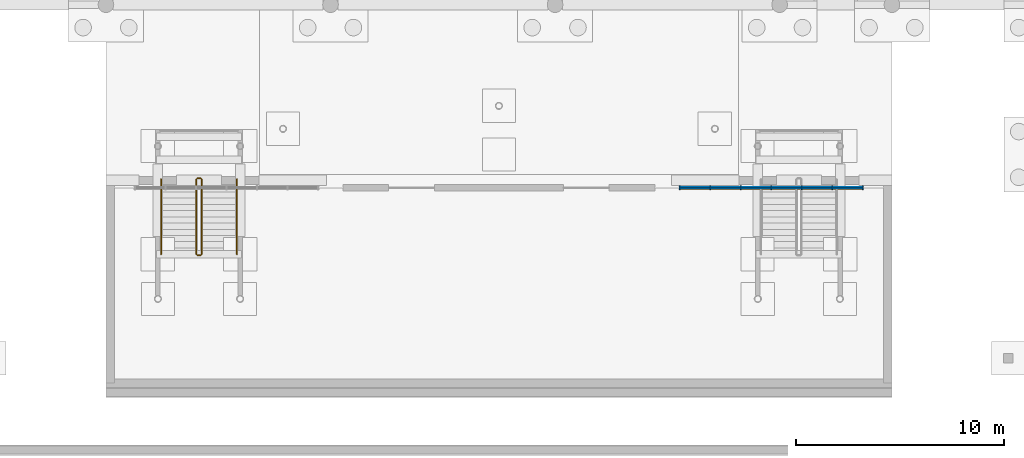
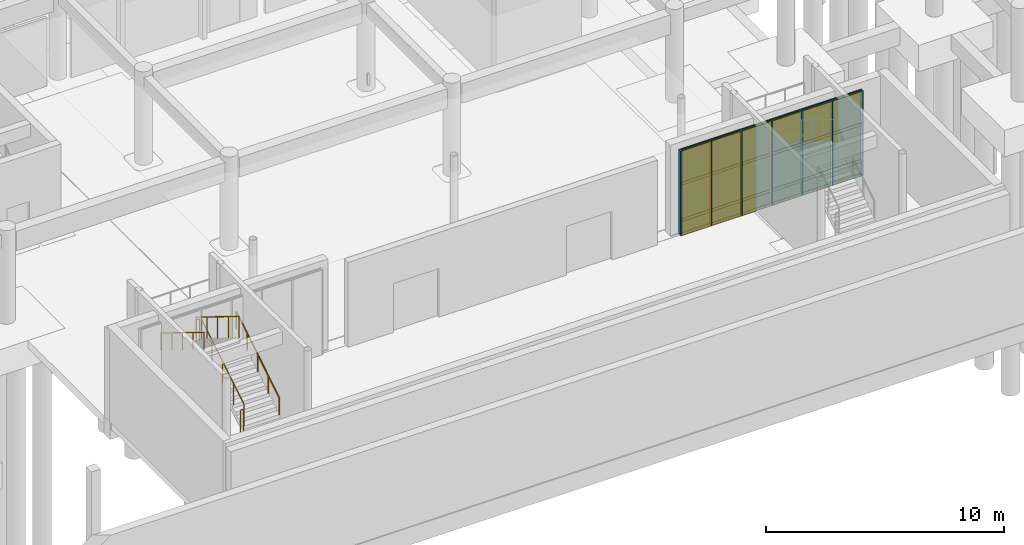
# One storey, part 35 of 46: 31 members, 18 plates, 6 railings, 1 curtain wall.
"""IFC4 building model written with IfcOpenShell, lengths in metres."""

from ifc_helpers import new_model, si_unit, direction, frame, frame_2d, origin, origin_2d, place, context, subcontext, project, spatial, rectangle, circle, extrude, material, layer, layer_set, material_profile, profile_set, type_object, element, aggregate, save


model = new_model("IFC4")

# Units and contexts
model_context = context("Model", 3, precision=1e-05, world=origin(), true_north=direction((0.0, 1.0)))
body_context = subcontext(model_context, "Body", "Model", "MODEL_VIEW")
ifc_project = project(units=[si_unit("LENGTHUNIT", "METRE"), si_unit("AREAUNIT", "SQUARE_METRE"), si_unit("VOLUMEUNIT", "CUBIC_METRE"), si_unit("PLANEANGLEUNIT", "RADIAN"), si_unit("MASSUNIT", "GRAM", prefix="KILO")], contexts=[model_context])

# Member
ifc_material_1 = material(Name="Anodised Bronze Aluminium 6063-T6", Category="aluminium")
ifc_material_profile_1 = material_profile(ifc_material_1, rectangle(XDim=0.06005859375, YDim=0.179931640625, at=origin_2d()), Name="ALU MULLION 60x180")
ifc_profile_set_1 = profile_set([ifc_material_profile_1], Name="Anodised Bronze Aluminium 6063-T6")
member_type_1 = type_object("IfcMemberType", Name="Curtain-Wall Primary Mullion 60x180", PredefinedType="MULLION", material=ifc_profile_set_1)
site_placement = place(None, origin())
building_placement = place(site_placement, origin())
storey_placement = place(building_placement, frame((0.0, 0.0, -4.800048828125)))
member_1_placement = place(storey_placement, frame((85.199951171875, 14.199951171875, 0.0), z_axis=(0.0, 0.0, 1.0), x_axis=(1.0, 0.0, 0.0)))
member_1 = element("IfcMember", 1, at=member_1_placement, type_object=member_type_1, Name="Mullion CWM-01 CW-B1-METRO-E-M01", PredefinedType="MULLION", context=body_context, shape_type="SweptSolid", body=[
    extrude(rectangle(XDim=0.06005859375, YDim=0.179931640625, at=origin_2d()), origin(), (0.0, 0.0, 1.0), 4.35009765625),
])

member_2_placement = place(storey_placement, frame((86.666748046875, 14.199951171875, 0.0), z_axis=(0.0, 0.0, 1.0), x_axis=(1.0, 0.0, 0.0)))
member_2 = element("IfcMember", 2, at=member_2_placement, type_object=member_type_1, Name="Mullion CWM-01 CW-B1-METRO-E-M02", PredefinedType="MULLION", context=body_context, shape_type="SweptSolid", body=[
    extrude(rectangle(XDim=0.06005859375, YDim=0.179931640625, at=origin_2d()), origin(), (0.0, 0.0, 1.0), 4.35009765625),
])

member_3_placement = place(storey_placement, frame((88.13330078125, 14.199951171875, 0.0), z_axis=(0.0, 0.0, 1.0), x_axis=(1.0, 0.0, 0.0)))
member_3 = element("IfcMember", 3, at=member_3_placement, type_object=member_type_1, Name="Mullion CWM-01 CW-B1-METRO-E-M03", PredefinedType="MULLION", context=body_context, shape_type="SweptSolid", body=[
    extrude(rectangle(XDim=0.06005859375, YDim=0.179931640625, at=origin_2d()), origin(), (0.0, 0.0, 1.0), 4.35009765625),
])

member_4_placement = place(storey_placement, frame((89.60009765625, 14.199951171875, 0.0), z_axis=(0.0, 0.0, 1.0), x_axis=(1.0, 0.0, 0.0)))
member_4 = element("IfcMember", 4, at=member_4_placement, type_object=member_type_1, Name="Mullion CWM-01 CW-B1-METRO-E-M04", PredefinedType="MULLION", context=body_context, shape_type="SweptSolid", body=[
    extrude(rectangle(XDim=0.06005859375, YDim=0.179931640625, at=origin_2d()), origin(), (0.0, 0.0, 1.0), 4.35009765625),
])

member_5_placement = place(storey_placement, frame((91.066650390625, 14.199951171875, 0.0), z_axis=(0.0, 0.0, 1.0), x_axis=(1.0, 0.0, 0.0)))
member_5 = element("IfcMember", 5, at=member_5_placement, type_object=member_type_1, Name="Mullion CWM-01 CW-B1-METRO-E-M05", PredefinedType="MULLION", context=body_context, shape_type="SweptSolid", body=[
    extrude(rectangle(XDim=0.06005859375, YDim=0.179931640625, at=origin_2d()), origin(), (0.0, 0.0, 1.0), 4.35009765625),
])

member_6_placement = place(storey_placement, frame((92.533203125, 14.199951171875, 0.0), z_axis=(0.0, 0.0, 1.0), x_axis=(1.0, 0.0, 0.0)))
member_6 = element("IfcMember", 6, at=member_6_placement, type_object=member_type_1, Name="Mullion CWM-01 CW-B1-METRO-E-M06", PredefinedType="MULLION", context=body_context, shape_type="SweptSolid", body=[
    extrude(rectangle(XDim=0.06005859375, YDim=0.179931640625, at=origin_2d()), origin(), (0.0, 0.0, 1.0), 4.35009765625),
])

member_7_placement = place(storey_placement, frame((94.0, 14.199951171875, 0.0), z_axis=(0.0, 0.0, 1.0), x_axis=(1.0, 0.0, 0.0)))
member_7 = element("IfcMember", 7, at=member_7_placement, type_object=member_type_1, Name="Mullion CWM-01 CW-B1-METRO-E-M07", PredefinedType="MULLION", context=body_context, shape_type="SweptSolid", body=[
    extrude(rectangle(XDim=0.06005859375, YDim=0.179931640625, at=origin_2d()), origin(), (0.0, 0.0, 1.0), 4.35009765625),
])

ifc_material_profile_2 = material_profile(ifc_material_1, rectangle(XDim=0.06005859375, YDim=0.139892578125, at=origin_2d()), Name="ALU TRANSOM 60x140")
ifc_profile_set_2 = profile_set([ifc_material_profile_2], Name="Anodised Bronze Aluminium 6063-T6")
member_type_2 = type_object("IfcMemberType", Name="Curtain-Wall Transom 60x140", PredefinedType="USERDEFINED", material=ifc_profile_set_2)
member_8_placement = place(storey_placement, frame((85.235107421875, 14.199951171875, 0.0400390625), z_axis=(1.0, 0.0, 0.0), x_axis=(0.0, 1.0, 0.0)))
member_8 = element("IfcMember", 8, at=member_8_placement, type_object=member_type_2, Name="Transom CWT-01 CW-B1-METRO-E-T01.1", ObjectType="TRANSOM", PredefinedType="USERDEFINED", context=body_context, shape_type="SweptSolid", body=[
    extrude(rectangle(XDim=0.06005859375, YDim=0.139892578125, at=origin_2d()), origin(), (0.0, 0.0, 1.0), 1.396484375),
])

member_9_placement = place(storey_placement, frame((85.235107421875, 14.199951171875, 0.75), z_axis=(1.0, 0.0, 0.0), x_axis=(0.0, 1.0, 0.0)))
member_9 = element("IfcMember", 9, at=member_9_placement, type_object=member_type_2, Name="Transom CWT-01 CW-B1-METRO-E-T01.2", ObjectType="TRANSOM", PredefinedType="USERDEFINED", context=body_context, shape_type="SweptSolid", body=[
    extrude(rectangle(XDim=0.06005859375, YDim=0.139892578125, at=origin_2d()), origin(), (0.0, 0.0, 1.0), 1.396484375),
])

member_10_placement = place(storey_placement, frame((85.235107421875, 14.199951171875, 2.6220703125), z_axis=(1.0, 0.0, 0.0), x_axis=(0.0, 1.0, 0.0)))
member_10 = element("IfcMember", 10, at=member_10_placement, type_object=member_type_2, Name="Transom CWT-01 CW-B1-METRO-E-T01.3", ObjectType="TRANSOM", PredefinedType="USERDEFINED", context=body_context, shape_type="SweptSolid", body=[
    extrude(rectangle(XDim=0.06005859375, YDim=0.139892578125, at=origin_2d()), origin(), (0.0, 0.0, 1.0), 1.396484375),
])

member_11_placement = place(storey_placement, frame((85.235107421875, 14.199951171875, 4.31005859375), z_axis=(1.0, 0.0, 0.0), x_axis=(0.0, 1.0, 0.0)))
member_11 = element("IfcMember", 11, at=member_11_placement, type_object=member_type_2, Name="Transom CWT-01 CW-B1-METRO-E-T01.4", ObjectType="TRANSOM", PredefinedType="USERDEFINED", context=body_context, shape_type="SweptSolid", body=[
    extrude(rectangle(XDim=0.06005859375, YDim=0.139892578125, at=origin_2d()), origin(), (0.0, 0.0, 1.0), 1.396484375),
])

member_12_placement = place(storey_placement, frame((86.70166015625, 14.199951171875, 0.0400390625), z_axis=(1.0, 0.0, 0.0), x_axis=(0.0, 1.0, 0.0)))
member_12 = element("IfcMember", 12, at=member_12_placement, type_object=member_type_2, Name="Transom CWT-01 CW-B1-METRO-E-T02.1", ObjectType="TRANSOM", PredefinedType="USERDEFINED", context=body_context, shape_type="SweptSolid", body=[
    extrude(rectangle(XDim=0.06005859375, YDim=0.139892578125, at=origin_2d()), origin(), (0.0, 0.0, 1.0), 1.396728515625),
])

member_13_placement = place(storey_placement, frame((86.70166015625, 14.199951171875, 0.75), z_axis=(1.0, 0.0, 0.0), x_axis=(0.0, 1.0, 0.0)))
member_13 = element("IfcMember", 13, at=member_13_placement, type_object=member_type_2, Name="Transom CWT-01 CW-B1-METRO-E-T02.2", ObjectType="TRANSOM", PredefinedType="USERDEFINED", context=body_context, shape_type="SweptSolid", body=[
    extrude(rectangle(XDim=0.06005859375, YDim=0.139892578125, at=origin_2d()), origin(), (0.0, 0.0, 1.0), 1.396728515625),
])

member_14_placement = place(storey_placement, frame((86.70166015625, 14.199951171875, 2.6220703125), z_axis=(1.0, 0.0, 0.0), x_axis=(0.0, 1.0, 0.0)))
member_14 = element("IfcMember", 14, at=member_14_placement, type_object=member_type_2, Name="Transom CWT-01 CW-B1-METRO-E-T02.3", ObjectType="TRANSOM", PredefinedType="USERDEFINED", context=body_context, shape_type="SweptSolid", body=[
    extrude(rectangle(XDim=0.06005859375, YDim=0.139892578125, at=origin_2d()), origin(), (0.0, 0.0, 1.0), 1.396728515625),
])

member_15_placement = place(storey_placement, frame((86.70166015625, 14.199951171875, 4.31005859375), z_axis=(1.0, 0.0, 0.0), x_axis=(0.0, 1.0, 0.0)))
member_15 = element("IfcMember", 15, at=member_15_placement, type_object=member_type_2, Name="Transom CWT-01 CW-B1-METRO-E-T02.4", ObjectType="TRANSOM", PredefinedType="USERDEFINED", context=body_context, shape_type="SweptSolid", body=[
    extrude(rectangle(XDim=0.06005859375, YDim=0.139892578125, at=origin_2d()), origin(), (0.0, 0.0, 1.0), 1.396728515625),
])

member_16_placement = place(storey_placement, frame((88.168212890625, 14.199951171875, 0.0400390625), z_axis=(1.0, 0.0, 0.0), x_axis=(0.0, 1.0, 0.0)))
member_16 = element("IfcMember", 16, at=member_16_placement, type_object=member_type_2, Name="Transom CWT-01 CW-B1-METRO-E-T03.1", ObjectType="TRANSOM", PredefinedType="USERDEFINED", context=body_context, shape_type="SweptSolid", body=[
    extrude(rectangle(XDim=0.06005859375, YDim=0.139892578125, at=origin_2d()), origin(), (0.0, 0.0, 1.0), 1.396728515625),
])

member_17_placement = place(storey_placement, frame((88.168212890625, 14.199951171875, 0.75), z_axis=(1.0, 0.0, 0.0), x_axis=(0.0, 1.0, 0.0)))
member_17 = element("IfcMember", 17, at=member_17_placement, type_object=member_type_2, Name="Transom CWT-01 CW-B1-METRO-E-T03.2", ObjectType="TRANSOM", PredefinedType="USERDEFINED", context=body_context, shape_type="SweptSolid", body=[
    extrude(rectangle(XDim=0.06005859375, YDim=0.139892578125, at=origin_2d()), origin(), (0.0, 0.0, 1.0), 1.396728515625),
])

member_18_placement = place(storey_placement, frame((88.168212890625, 14.199951171875, 2.6220703125), z_axis=(1.0, 0.0, 0.0), x_axis=(0.0, 1.0, 0.0)))
member_18 = element("IfcMember", 18, at=member_18_placement, type_object=member_type_2, Name="Transom CWT-01 CW-B1-METRO-E-T03.3", ObjectType="TRANSOM", PredefinedType="USERDEFINED", context=body_context, shape_type="SweptSolid", body=[
    extrude(rectangle(XDim=0.06005859375, YDim=0.139892578125, at=origin_2d()), origin(), (0.0, 0.0, 1.0), 1.396728515625),
])

member_19_placement = place(storey_placement, frame((88.168212890625, 14.199951171875, 4.31005859375), z_axis=(1.0, 0.0, 0.0), x_axis=(0.0, 1.0, 0.0)))
member_19 = element("IfcMember", 19, at=member_19_placement, type_object=member_type_2, Name="Transom CWT-01 CW-B1-METRO-E-T03.4", ObjectType="TRANSOM", PredefinedType="USERDEFINED", context=body_context, shape_type="SweptSolid", body=[
    extrude(rectangle(XDim=0.06005859375, YDim=0.139892578125, at=origin_2d()), origin(), (0.0, 0.0, 1.0), 1.396728515625),
])

member_20_placement = place(storey_placement, frame((89.635009765625, 14.199951171875, 0.0400390625), z_axis=(1.0, 0.0, 0.0), x_axis=(0.0, 1.0, 0.0)))
member_20 = element("IfcMember", 20, at=member_20_placement, type_object=member_type_2, Name="Transom CWT-01 CW-B1-METRO-E-T04.1", ObjectType="TRANSOM", PredefinedType="USERDEFINED", context=body_context, shape_type="SweptSolid", body=[
    extrude(rectangle(XDim=0.06005859375, YDim=0.139892578125, at=origin_2d()), origin(), (0.0, 0.0, 1.0), 1.396728515625),
])

member_21_placement = place(storey_placement, frame((89.635009765625, 14.199951171875, 0.75), z_axis=(1.0, 0.0, 0.0), x_axis=(0.0, 1.0, 0.0)))
member_21 = element("IfcMember", 21, at=member_21_placement, type_object=member_type_2, Name="Transom CWT-01 CW-B1-METRO-E-T04.2", ObjectType="TRANSOM", PredefinedType="USERDEFINED", context=body_context, shape_type="SweptSolid", body=[
    extrude(rectangle(XDim=0.06005859375, YDim=0.139892578125, at=origin_2d()), origin(), (0.0, 0.0, 1.0), 1.396728515625),
])

member_22_placement = place(storey_placement, frame((89.635009765625, 14.199951171875, 2.6220703125), z_axis=(1.0, 0.0, 0.0), x_axis=(0.0, 1.0, 0.0)))
member_22 = element("IfcMember", 22, at=member_22_placement, type_object=member_type_2, Name="Transom CWT-01 CW-B1-METRO-E-T04.3", ObjectType="TRANSOM", PredefinedType="USERDEFINED", context=body_context, shape_type="SweptSolid", body=[
    extrude(rectangle(XDim=0.06005859375, YDim=0.139892578125, at=origin_2d()), origin(), (0.0, 0.0, 1.0), 1.396728515625),
])

member_23_placement = place(storey_placement, frame((89.635009765625, 14.199951171875, 4.31005859375), z_axis=(1.0, 0.0, 0.0), x_axis=(0.0, 1.0, 0.0)))
member_23 = element("IfcMember", 23, at=member_23_placement, type_object=member_type_2, Name="Transom CWT-01 CW-B1-METRO-E-T04.4", ObjectType="TRANSOM", PredefinedType="USERDEFINED", context=body_context, shape_type="SweptSolid", body=[
    extrude(rectangle(XDim=0.06005859375, YDim=0.139892578125, at=origin_2d()), origin(), (0.0, 0.0, 1.0), 1.396728515625),
])

member_24_placement = place(storey_placement, frame((91.101806640625, 14.199951171875, 0.0400390625), z_axis=(1.0, 0.0, 0.0), x_axis=(0.0, 1.0, 0.0)))
member_24 = element("IfcMember", 24, at=member_24_placement, type_object=member_type_2, Name="Transom CWT-01 CW-B1-METRO-E-T05.1", ObjectType="TRANSOM", PredefinedType="USERDEFINED", context=body_context, shape_type="SweptSolid", body=[
    extrude(rectangle(XDim=0.06005859375, YDim=0.139892578125, at=origin_2d()), origin(), (0.0, 0.0, 1.0), 1.396484375),
])

member_25_placement = place(storey_placement, frame((91.101806640625, 14.199951171875, 0.75), z_axis=(1.0, 0.0, 0.0), x_axis=(0.0, 1.0, 0.0)))
member_25 = element("IfcMember", 25, at=member_25_placement, type_object=member_type_2, Name="Transom CWT-01 CW-B1-METRO-E-T05.2", ObjectType="TRANSOM", PredefinedType="USERDEFINED", context=body_context, shape_type="SweptSolid", body=[
    extrude(rectangle(XDim=0.06005859375, YDim=0.139892578125, at=origin_2d()), origin(), (0.0, 0.0, 1.0), 1.396484375),
])

member_26_placement = place(storey_placement, frame((91.101806640625, 14.199951171875, 2.6220703125), z_axis=(1.0, 0.0, 0.0), x_axis=(0.0, 1.0, 0.0)))
member_26 = element("IfcMember", 26, at=member_26_placement, type_object=member_type_2, Name="Transom CWT-01 CW-B1-METRO-E-T05.3", ObjectType="TRANSOM", PredefinedType="USERDEFINED", context=body_context, shape_type="SweptSolid", body=[
    extrude(rectangle(XDim=0.06005859375, YDim=0.139892578125, at=origin_2d()), origin(), (0.0, 0.0, 1.0), 1.396484375),
])

member_27_placement = place(storey_placement, frame((91.101806640625, 14.199951171875, 4.31005859375), z_axis=(1.0, 0.0, 0.0), x_axis=(0.0, 1.0, 0.0)))
member_27 = element("IfcMember", 27, at=member_27_placement, type_object=member_type_2, Name="Transom CWT-01 CW-B1-METRO-E-T05.4", ObjectType="TRANSOM", PredefinedType="USERDEFINED", context=body_context, shape_type="SweptSolid", body=[
    extrude(rectangle(XDim=0.06005859375, YDim=0.139892578125, at=origin_2d()), origin(), (0.0, 0.0, 1.0), 1.396484375),
])

member_28_placement = place(storey_placement, frame((92.568359375, 14.199951171875, 0.0400390625), z_axis=(1.0, 0.0, 0.0), x_axis=(0.0, 1.0, 0.0)))
member_28 = element("IfcMember", 28, at=member_28_placement, type_object=member_type_2, Name="Transom CWT-01 CW-B1-METRO-E-T06.1", ObjectType="TRANSOM", PredefinedType="USERDEFINED", context=body_context, shape_type="SweptSolid", body=[
    extrude(rectangle(XDim=0.06005859375, YDim=0.139892578125, at=origin_2d()), origin(), (0.0, 0.0, 1.0), 1.396728515625),
])

member_29_placement = place(storey_placement, frame((92.568359375, 14.199951171875, 0.75), z_axis=(1.0, 0.0, 0.0), x_axis=(0.0, 1.0, 0.0)))
member_29 = element("IfcMember", 29, at=member_29_placement, type_object=member_type_2, Name="Transom CWT-01 CW-B1-METRO-E-T06.2", ObjectType="TRANSOM", PredefinedType="USERDEFINED", context=body_context, shape_type="SweptSolid", body=[
    extrude(rectangle(XDim=0.06005859375, YDim=0.139892578125, at=origin_2d()), origin(), (0.0, 0.0, 1.0), 1.396728515625),
])

member_30_placement = place(storey_placement, frame((92.568359375, 14.199951171875, 2.6220703125), z_axis=(1.0, 0.0, 0.0), x_axis=(0.0, 1.0, 0.0)))
member_30 = element("IfcMember", 30, at=member_30_placement, type_object=member_type_2, Name="Transom CWT-01 CW-B1-METRO-E-T06.3", ObjectType="TRANSOM", PredefinedType="USERDEFINED", context=body_context, shape_type="SweptSolid", body=[
    extrude(rectangle(XDim=0.06005859375, YDim=0.139892578125, at=origin_2d()), origin(), (0.0, 0.0, 1.0), 1.396728515625),
])

member_31_placement = place(storey_placement, frame((92.568359375, 14.199951171875, 4.31005859375), z_axis=(1.0, 0.0, 0.0), x_axis=(0.0, 1.0, 0.0)))
member_31 = element("IfcMember", 31, at=member_31_placement, type_object=member_type_2, Name="Transom CWT-01 CW-B1-METRO-E-T06.4", ObjectType="TRANSOM", PredefinedType="USERDEFINED", context=body_context, shape_type="SweptSolid", body=[
    extrude(rectangle(XDim=0.06005859375, YDim=0.139892578125, at=origin_2d()), origin(), (0.0, 0.0, 1.0), 1.396728515625),
])

# Plate
ifc_material_2 = material(Name="Insulated Bronze Aluminium Spandrel Panel", Category="aluminium")
ifc_layer_1 = layer(ifc_material_2, 0.050048828125, Name="Insulated Bronze Aluminium Spandrel Panel")
ifc_layer_set_1 = layer_set([ifc_layer_1], Name="Insulated Bronze Aluminium Spandrel Panel")
plate_type_1 = type_object("IfcPlateType", Name="Insulated Anodised Aluminium Spandrel Cassette 50", PredefinedType="CURTAIN_PANEL", material=ifc_layer_set_1)
plate_1_placement = place(storey_placement, frame((85.933349609375, 14.199951171875, 0.070068359375), z_axis=(0.0, 0.0, 1.0), x_axis=(1.0, 0.0, 0.0)))
plate_1 = element("IfcPlate", 32, at=plate_1_placement, type_object=plate_type_1, Name="Curtain Panel CWP-03 CW-B1-METRO-E-P01.1", PredefinedType="CURTAIN_PANEL", context=body_context, shape_type="SweptSolid", body=[
    extrude(rectangle(XDim=1.396728515625, YDim=0.050048828125, at=origin_2d()), origin(), (0.0, 0.0, 1.0), 0.64990234375),
])

plate_2_placement = place(storey_placement, frame((87.39990234375, 14.199951171875, 0.070068359375), z_axis=(0.0, 0.0, 1.0), x_axis=(1.0, 0.0, 0.0)))
plate_2 = element("IfcPlate", 33, at=plate_2_placement, type_object=plate_type_1, Name="Curtain Panel CWP-03 CW-B1-METRO-E-P02.1", PredefinedType="CURTAIN_PANEL", context=body_context, shape_type="SweptSolid", body=[
    extrude(rectangle(XDim=1.396728515625, YDim=0.050048828125, at=origin_2d()), origin(), (0.0, 0.0, 1.0), 0.64990234375),
])

plate_3_placement = place(storey_placement, frame((88.86669921875, 14.199951171875, 0.070068359375), z_axis=(0.0, 0.0, 1.0), x_axis=(1.0, 0.0, 0.0)))
plate_3 = element("IfcPlate", 34, at=plate_3_placement, type_object=plate_type_1, Name="Curtain Panel CWP-03 CW-B1-METRO-E-P03.1", PredefinedType="CURTAIN_PANEL", context=body_context, shape_type="SweptSolid", body=[
    extrude(rectangle(XDim=1.396728515625, YDim=0.050048828125, at=origin_2d()), origin(), (0.0, 0.0, 1.0), 0.64990234375),
])

plate_4_placement = place(storey_placement, frame((90.333251953125, 14.199951171875, 0.070068359375), z_axis=(0.0, 0.0, 1.0), x_axis=(1.0, 0.0, 0.0)))
plate_4 = element("IfcPlate", 35, at=plate_4_placement, type_object=plate_type_1, Name="Curtain Panel CWP-03 CW-B1-METRO-E-P04.1", PredefinedType="CURTAIN_PANEL", context=body_context, shape_type="SweptSolid", body=[
    extrude(rectangle(XDim=1.396728515625, YDim=0.050048828125, at=origin_2d()), origin(), (0.0, 0.0, 1.0), 0.64990234375),
])

plate_5_placement = place(storey_placement, frame((91.800048828125, 14.199951171875, 0.070068359375), z_axis=(0.0, 0.0, 1.0), x_axis=(1.0, 0.0, 0.0)))
plate_5 = element("IfcPlate", 36, at=plate_5_placement, type_object=plate_type_1, Name="Curtain Panel CWP-03 CW-B1-METRO-E-P05.1", PredefinedType="CURTAIN_PANEL", context=body_context, shape_type="SweptSolid", body=[
    extrude(rectangle(XDim=1.396728515625, YDim=0.050048828125, at=origin_2d()), origin(), (0.0, 0.0, 1.0), 0.64990234375),
])

plate_6_placement = place(storey_placement, frame((93.2666015625, 14.199951171875, 0.070068359375), z_axis=(0.0, 0.0, 1.0), x_axis=(1.0, 0.0, 0.0)))
plate_6 = element("IfcPlate", 37, at=plate_6_placement, type_object=plate_type_1, Name="Curtain Panel CWP-03 CW-B1-METRO-E-P06.1", PredefinedType="CURTAIN_PANEL", context=body_context, shape_type="SweptSolid", body=[
    extrude(rectangle(XDim=1.396728515625, YDim=0.050048828125, at=origin_2d()), origin(), (0.0, 0.0, 1.0), 0.64990234375),
])

ifc_material_3 = material(Name="Solar-Control Tempered Double Glazing", Category="glass")
ifc_layer_2 = layer(ifc_material_3, 0.0380859375, Name="Solar-Control Tempered Double Glazing")
ifc_layer_set_2 = layer_set([ifc_layer_2], Name="Solar-Control Tempered Double Glazing")
plate_type_2 = type_object("IfcPlateType", Name="Solar-Control Vision Glazing Unit 38", PredefinedType="CURTAIN_PANEL", material=ifc_layer_set_2)
plate_7_placement = place(storey_placement, frame((85.933349609375, 14.199951171875, 0.780029296875), z_axis=(0.0, 0.0, 1.0), x_axis=(1.0, 0.0, 0.0)))
plate_7 = element("IfcPlate", 38, at=plate_7_placement, type_object=plate_type_2, Name="Curtain Panel CWP-02 CW-B1-METRO-E-P01.2", PredefinedType="CURTAIN_PANEL", context=body_context, shape_type="SweptSolid", body=[
    extrude(rectangle(XDim=1.396728515625, YDim=0.0380859375, at=origin_2d()), origin(), (0.0, 0.0, 1.0), 1.81201171875),
])

plate_8_placement = place(storey_placement, frame((85.933349609375, 14.199951171875, 2.652099609375), z_axis=(0.0, 0.0, 1.0), x_axis=(1.0, 0.0, 0.0)))
plate_8 = element("IfcPlate", 39, at=plate_8_placement, type_object=plate_type_2, Name="Curtain Panel CWP-02 CW-B1-METRO-E-P01.3", PredefinedType="CURTAIN_PANEL", context=body_context, shape_type="SweptSolid", body=[
    extrude(rectangle(XDim=1.396728515625, YDim=0.0380859375, at=origin_2d()), origin(), (0.0, 0.0, 1.0), 1.6279296875),
])

plate_9_placement = place(storey_placement, frame((87.39990234375, 14.199951171875, 0.780029296875), z_axis=(0.0, 0.0, 1.0), x_axis=(1.0, 0.0, 0.0)))
plate_9 = element("IfcPlate", 40, at=plate_9_placement, type_object=plate_type_2, Name="Curtain Panel CWP-02 CW-B1-METRO-E-P02.2", PredefinedType="CURTAIN_PANEL", context=body_context, shape_type="SweptSolid", body=[
    extrude(rectangle(XDim=1.396728515625, YDim=0.0380859375, at=origin_2d()), origin(), (0.0, 0.0, 1.0), 1.81201171875),
])

plate_10_placement = place(storey_placement, frame((87.39990234375, 14.199951171875, 2.652099609375), z_axis=(0.0, 0.0, 1.0), x_axis=(1.0, 0.0, 0.0)))
plate_10 = element("IfcPlate", 41, at=plate_10_placement, type_object=plate_type_2, Name="Curtain Panel CWP-02 CW-B1-METRO-E-P02.3", PredefinedType="CURTAIN_PANEL", context=body_context, shape_type="SweptSolid", body=[
    extrude(rectangle(XDim=1.396728515625, YDim=0.0380859375, at=origin_2d()), origin(), (0.0, 0.0, 1.0), 1.6279296875),
])

plate_11_placement = place(storey_placement, frame((88.86669921875, 14.199951171875, 0.780029296875), z_axis=(0.0, 0.0, 1.0), x_axis=(1.0, 0.0, 0.0)))
plate_11 = element("IfcPlate", 42, at=plate_11_placement, type_object=plate_type_2, Name="Curtain Panel CWP-02 CW-B1-METRO-E-P03.2", PredefinedType="CURTAIN_PANEL", context=body_context, shape_type="SweptSolid", body=[
    extrude(rectangle(XDim=1.396728515625, YDim=0.0380859375, at=origin_2d()), origin(), (0.0, 0.0, 1.0), 1.81201171875),
])

plate_12_placement = place(storey_placement, frame((88.86669921875, 14.199951171875, 2.652099609375), z_axis=(0.0, 0.0, 1.0), x_axis=(1.0, 0.0, 0.0)))
plate_12 = element("IfcPlate", 43, at=plate_12_placement, type_object=plate_type_2, Name="Curtain Panel CWP-02 CW-B1-METRO-E-P03.3", PredefinedType="CURTAIN_PANEL", context=body_context, shape_type="SweptSolid", body=[
    extrude(rectangle(XDim=1.396728515625, YDim=0.0380859375, at=origin_2d()), origin(), (0.0, 0.0, 1.0), 1.6279296875),
])

plate_13_placement = place(storey_placement, frame((90.333251953125, 14.199951171875, 0.780029296875), z_axis=(0.0, 0.0, 1.0), x_axis=(1.0, 0.0, 0.0)))
plate_13 = element("IfcPlate", 44, at=plate_13_placement, type_object=plate_type_2, Name="Curtain Panel CWP-02 CW-B1-METRO-E-P04.2", PredefinedType="CURTAIN_PANEL", context=body_context, shape_type="SweptSolid", body=[
    extrude(rectangle(XDim=1.396728515625, YDim=0.0380859375, at=origin_2d()), origin(), (0.0, 0.0, 1.0), 1.81201171875),
])

plate_14_placement = place(storey_placement, frame((90.333251953125, 14.199951171875, 2.652099609375), z_axis=(0.0, 0.0, 1.0), x_axis=(1.0, 0.0, 0.0)))
plate_14 = element("IfcPlate", 45, at=plate_14_placement, type_object=plate_type_2, Name="Curtain Panel CWP-02 CW-B1-METRO-E-P04.3", PredefinedType="CURTAIN_PANEL", context=body_context, shape_type="SweptSolid", body=[
    extrude(rectangle(XDim=1.396728515625, YDim=0.0380859375, at=origin_2d()), origin(), (0.0, 0.0, 1.0), 1.6279296875),
])

plate_15_placement = place(storey_placement, frame((91.800048828125, 14.199951171875, 0.780029296875), z_axis=(0.0, 0.0, 1.0), x_axis=(1.0, 0.0, 0.0)))
plate_15 = element("IfcPlate", 46, at=plate_15_placement, type_object=plate_type_2, Name="Curtain Panel CWP-02 CW-B1-METRO-E-P05.2", PredefinedType="CURTAIN_PANEL", context=body_context, shape_type="SweptSolid", body=[
    extrude(rectangle(XDim=1.396728515625, YDim=0.0380859375, at=origin_2d()), origin(), (0.0, 0.0, 1.0), 1.81201171875),
])

plate_16_placement = place(storey_placement, frame((91.800048828125, 14.199951171875, 2.652099609375), z_axis=(0.0, 0.0, 1.0), x_axis=(1.0, 0.0, 0.0)))
plate_16 = element("IfcPlate", 47, at=plate_16_placement, type_object=plate_type_2, Name="Curtain Panel CWP-02 CW-B1-METRO-E-P05.3", PredefinedType="CURTAIN_PANEL", context=body_context, shape_type="SweptSolid", body=[
    extrude(rectangle(XDim=1.396728515625, YDim=0.0380859375, at=origin_2d()), origin(), (0.0, 0.0, 1.0), 1.6279296875),
])

plate_17_placement = place(storey_placement, frame((93.2666015625, 14.199951171875, 0.780029296875), z_axis=(0.0, 0.0, 1.0), x_axis=(1.0, 0.0, 0.0)))
plate_17 = element("IfcPlate", 48, at=plate_17_placement, type_object=plate_type_2, Name="Curtain Panel CWP-02 CW-B1-METRO-E-P06.2", PredefinedType="CURTAIN_PANEL", context=body_context, shape_type="SweptSolid", body=[
    extrude(rectangle(XDim=1.396728515625, YDim=0.0380859375, at=origin_2d()), origin(), (0.0, 0.0, 1.0), 1.81201171875),
])

plate_18_placement = place(storey_placement, frame((93.2666015625, 14.199951171875, 2.652099609375), z_axis=(0.0, 0.0, 1.0), x_axis=(1.0, 0.0, 0.0)))
plate_18 = element("IfcPlate", 49, at=plate_18_placement, type_object=plate_type_2, Name="Curtain Panel CWP-02 CW-B1-METRO-E-P06.3", PredefinedType="CURTAIN_PANEL", context=body_context, shape_type="SweptSolid", body=[
    extrude(rectangle(XDim=1.396728515625, YDim=0.0380859375, at=origin_2d()), origin(), (0.0, 0.0, 1.0), 1.6279296875),
])

# Site, building, storey
site = spatial("IfcSite", under=ifc_project, at=site_placement, CompositionType="ELEMENT")
building = spatial("IfcBuilding", under=site, at=building_placement, Name="Tazoul Stagehouse", CompositionType="ELEMENT")
storey = spatial("IfcBuildingStorey", under=building, at=storey_placement, Name="B1", CompositionType="ELEMENT", Elevation=-4.800048828125)

# Curtain wall
curtain_wall_type = type_object("IfcCurtainWallType", Name="Foyer Clear Solar-Control Curtain Wall", PredefinedType="NOTDEFINED", material=ifc_material_1)
curtain_wall_placement = place(storey_placement, frame((85.199951171875, 14.199951171875, 0.0), z_axis=(0.0, 0.0, 1.0), x_axis=(1.0, 0.0, 0.0)))
curtain_wall = element("IfcCurtainWall", 50, at=curtain_wall_placement, inside=storey, type_object=curtain_wall_type, Name="B1 Curtain Wall CW-02 (CW-B1-METRO-E)", PredefinedType="NOTDEFINED", context=body_context, shape_type="SweptSolid", body=[
    extrude(rectangle(XDim=8.800048828125, YDim=0.179931640625, at=frame_2d((4.39990234375, 0.0))), origin(), (0.0, 0.0, 1.0), 4.35009765625),
])

aggregate(curtain_wall, [member_1, member_2, member_3, member_4, member_5, member_6, member_7, member_8, member_9, member_10, member_11, plate_1, plate_7, plate_8, member_12, member_13, member_14, member_15, plate_2, plate_9, plate_10, member_16, member_17, member_18, member_19, plate_3, plate_11, plate_12, member_20, member_21, member_22, member_23, plate_4, plate_13, plate_14, member_24, member_25, member_26, member_27, plate_5, plate_15, plate_16, member_28, member_29, member_30, member_31, plate_6, plate_17, plate_18])

# Railings
ifc_material_4 = material(Name="Brushed Stainless Steel 316L", Category="steel")
ifc_material_profile_3 = material_profile(ifc_material_4, circle(Radius=0.02392578125, at=origin_2d()), Name="SS RAIL D48")
ifc_profile_set_3 = profile_set([ifc_material_profile_3], Name="Brushed Stainless Steel 316L")
railing_type_1 = type_object("IfcRailingType", Name="Architectural Guardrail H1120", PredefinedType="GUARDRAIL", material=ifc_profile_set_3)
railing_1_placement = place(storey_placement, frame((62.199951171875, 11.0, 0.1845703125)))
element("IfcRailing", 51, at=railing_1_placement, inside=storey, type_object=railing_type_1, Name="B1 ST-AMP-W stair guard 1", PredefinedType="GUARDRAIL", context=body_context, shape_type="SweptSolid", body=[
    extrude(circle(Radius=0.02392578125, at=origin_2d()), frame((0.0, 0.0, 1.09619140625), z_axis=(0.0, 0.851644435552, 0.524119981868), x_axis=(-1.0, 0.0, 0.0)), (0.0, 0.0, 1.0), 4.227294921875),
    extrude(circle(Radius=0.02099609375, at=origin_2d()), origin(), (0.0, 0.0, 1.0), 1.072021484375),
    extrude(circle(Radius=0.02099609375, at=origin_2d()), frame((0.0, 0.89990234375, 0.553955078125)), (0.0, 0.0, 1.0), 1.072021484375),
    extrude(circle(Radius=0.02099609375, at=origin_2d()), frame((0.0, 1.800048828125, 1.10791015625)), (0.0, 0.0, 1.0), 1.072021484375),
    extrude(circle(Radius=0.02099609375, at=origin_2d()), frame((0.0, 2.7001953125, 1.66162109375)), (0.0, 0.0, 1.0), 1.072021484375),
    extrude(circle(Radius=0.02099609375, at=origin_2d()), frame((0.0, 3.60009765625, 2.215576171875)), (0.0, 0.0, 1.0), 1.072021484375),
])
railing_2_placement = place(storey_placement, frame((62.14990234375, 14.64990234375, 2.400146484375)))
element("IfcRailing", 52, at=railing_2_placement, inside=storey, type_object=railing_type_1, Name="B1 ST-AMP-W stair guard 2", PredefinedType="GUARDRAIL", context=body_context, shape_type="SweptSolid", body=[
    extrude(circle(Radius=0.02392578125, at=origin_2d()), frame((0.0, 0.0, 1.09619140625), z_axis=(-1.0, 0.0, 0.0), x_axis=(0.0, -1.0, 0.0)), (0.0, 0.0, 1.0), 0.14990234375),
    extrude(circle(Radius=0.02099609375, at=origin_2d()), origin(), (0.0, 0.0, 1.0), 1.072021484375),
    extrude(circle(Radius=0.02099609375, at=origin_2d()), frame((-0.14990234375, 0.0, 0.0)), (0.0, 0.0, 1.0), 1.072021484375),
])
railing_3_placement = place(storey_placement, frame((61.949951171875, 14.60009765625, 2.584716796875)))
element("IfcRailing", 53, at=railing_3_placement, inside=storey, type_object=railing_type_1, Name="B1 ST-AMP-W stair guard 4", PredefinedType="GUARDRAIL", context=body_context, shape_type="SweptSolid", body=[
    extrude(circle(Radius=0.02392578125, at=origin_2d()), frame((0.0, 0.0, 1.09619140625), z_axis=(0.0, -0.85167021472, 0.524078090897), x_axis=(1.0, 0.0, 0.0)), (0.0, 0.0, 1.0), 4.22705078125),
    extrude(circle(Radius=0.02099609375, at=origin_2d()), origin(), (0.0, 0.0, 1.0), 1.072021484375),
    extrude(circle(Radius=0.02099609375, at=origin_2d()), frame((0.0, -0.89990234375, 0.5537109375)), (0.0, 0.0, 1.0), 1.072021484375),
    extrude(circle(Radius=0.02099609375, at=origin_2d()), frame((0.0, -1.800048828125, 1.107666015625)), (0.0, 0.0, 1.0), 1.072021484375),
    extrude(circle(Radius=0.02099609375, at=origin_2d()), frame((0.0, -2.7001953125, 1.66162109375)), (0.0, 0.0, 1.0), 1.072021484375),
    extrude(circle(Radius=0.02099609375, at=origin_2d()), frame((0.0, -3.60009765625, 2.21533203125)), (0.0, 0.0, 1.0), 1.072021484375),
])
railing_4_placement = place(storey_placement, frame((62.14990234375, 10.949951171875, 0.0)))
element("IfcRailing", 54, at=railing_4_placement, inside=storey, type_object=railing_type_1, Name="B1 ST-AMP-W stair guard 5", PredefinedType="GUARDRAIL", context=body_context, shape_type="SweptSolid", body=[
    extrude(circle(Radius=0.02392578125, at=origin_2d()), frame((0.0, 0.0, 1.09619140625), z_axis=(-1.0, 0.0, 0.0), x_axis=(0.0, -1.0, 0.0)), (0.0, 0.0, 1.0), 0.14990234375),
    extrude(circle(Radius=0.02099609375, at=origin_2d()), origin(), (0.0, 0.0, 1.0), 1.072021484375),
    extrude(circle(Radius=0.02099609375, at=origin_2d()), frame((-0.14990234375, 0.0, 0.0)), (0.0, 0.0, 1.0), 1.072021484375),
])
ifc_material_profile_4 = material_profile(ifc_material_4, circle(Radius=0.02099609375, at=origin_2d()), Name="SS HANDRAIL D42")
ifc_profile_set_4 = profile_set([ifc_material_profile_4], Name="Brushed Stainless Steel 316L")
railing_type_2 = type_object("IfcRailingType", Name="Continuous Stair Handrail H900", PredefinedType="HANDRAIL", material=ifc_profile_set_4)
railing_5_placement = place(storey_placement, frame((63.89990234375, 11.0, 0.1845703125)))
element("IfcRailing", 55, at=railing_5_placement, inside=storey, type_object=railing_type_2, Name="B1 ST-AMP-W stair handrail 1", PredefinedType="HANDRAIL", context=body_context, shape_type="SweptSolid", body=[
    extrude(circle(Radius=0.02392578125, at=origin_2d()), frame((0.0, 0.0, 0.8759765625), z_axis=(0.0, 0.851644435552, 0.524119981868), x_axis=(-1.0, 0.0, 0.0)), (0.0, 0.0, 1.0), 4.227294921875),
    extrude(circle(Radius=0.02099609375, at=origin_2d()), origin(), (0.0, 0.0, 1.0), 0.851806640625),
    extrude(circle(Radius=0.02099609375, at=origin_2d()), frame((0.0, 0.89990234375, 0.553955078125)), (0.0, 0.0, 1.0), 0.851806640625),
    extrude(circle(Radius=0.02099609375, at=origin_2d()), frame((0.0, 1.800048828125, 1.10791015625)), (0.0, 0.0, 1.0), 0.851806640625),
    extrude(circle(Radius=0.02099609375, at=origin_2d()), frame((0.0, 2.7001953125, 1.66162109375)), (0.0, 0.0, 1.0), 0.851806640625),
    extrude(circle(Radius=0.02099609375, at=origin_2d()), frame((0.0, 3.60009765625, 2.215576171875)), (0.0, 0.0, 1.0), 0.851806640625),
])
railing_6_placement = place(storey_placement, frame((60.25, 14.60009765625, 2.584716796875)))
element("IfcRailing", 56, at=railing_6_placement, inside=storey, type_object=railing_type_2, Name="B1 ST-AMP-W stair handrail 2", PredefinedType="HANDRAIL", context=body_context, shape_type="SweptSolid", body=[
    extrude(circle(Radius=0.02392578125, at=origin_2d()), frame((0.0, 0.0, 0.8759765625), z_axis=(0.0, -0.85167021472, 0.524078090897), x_axis=(1.0, 0.0, 0.0)), (0.0, 0.0, 1.0), 4.22705078125),
    extrude(circle(Radius=0.02099609375, at=origin_2d()), origin(), (0.0, 0.0, 1.0), 0.851806640625),
    extrude(circle(Radius=0.02099609375, at=origin_2d()), frame((0.0, -0.89990234375, 0.5537109375)), (0.0, 0.0, 1.0), 0.851806640625),
    extrude(circle(Radius=0.02099609375, at=origin_2d()), frame((0.0, -1.800048828125, 1.107666015625)), (0.0, 0.0, 1.0), 0.851806640625),
    extrude(circle(Radius=0.02099609375, at=origin_2d()), frame((0.0, -2.7001953125, 1.66162109375)), (0.0, 0.0, 1.0), 0.851806640625),
    extrude(circle(Radius=0.02099609375, at=origin_2d()), frame((0.0, -3.60009765625, 2.21533203125)), (0.0, 0.0, 1.0), 0.851806640625),
])

save(model, "model.ifc")
